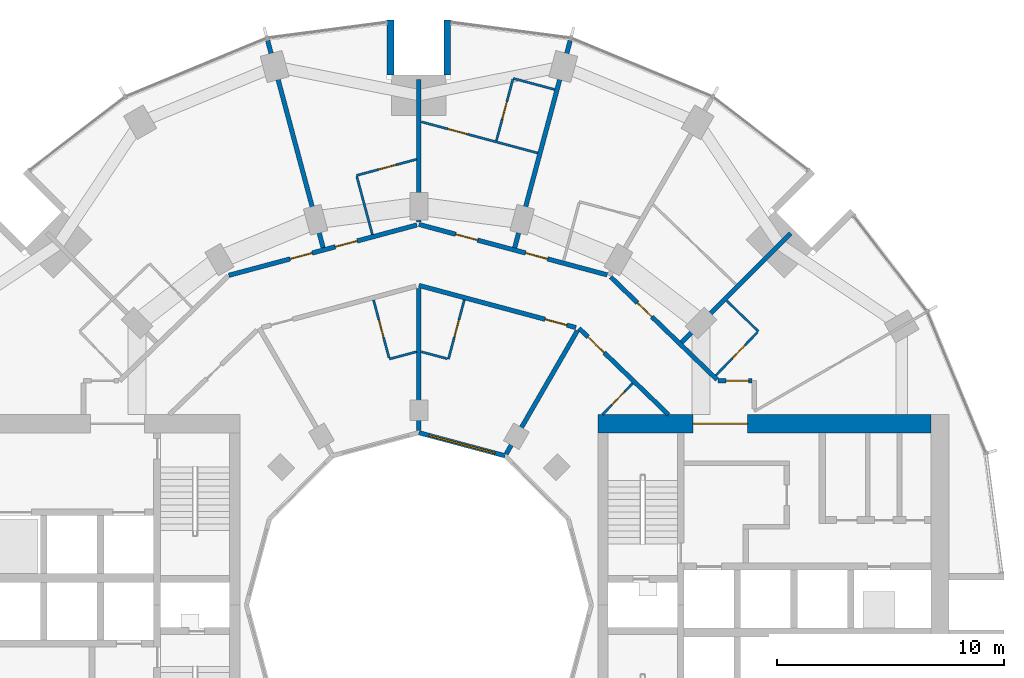
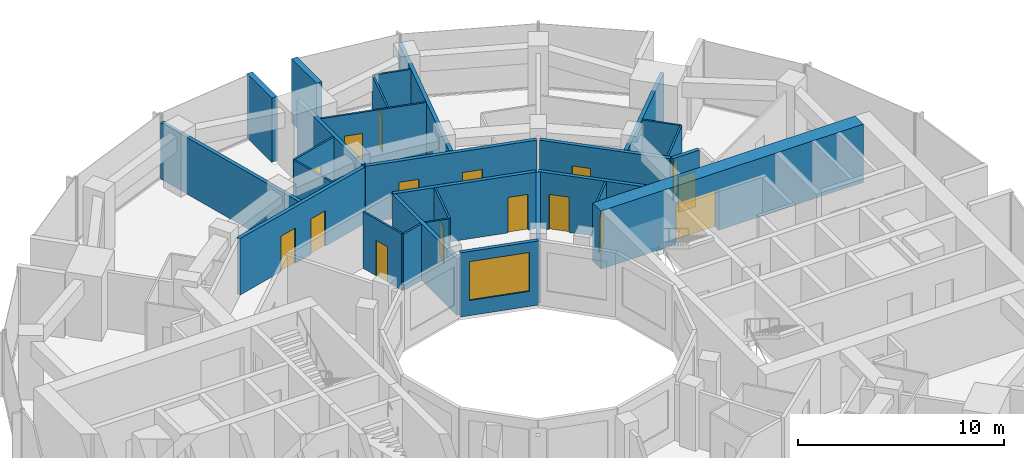
# One storey, part 12 of 15: 28 walls, 16 doors, 1 window, 17 openings.
"""IFC4 building model written with IfcOpenShell, lengths in metres."""

from ifc_helpers import new_model, si_unit, direction, frame, frame_2d, origin, place, context, subcontext, project, spatial, rectangle, extrude, material, layer, layer_set, type_object, element, fill, save


model = new_model("IFC4")

# Units and contexts
model_context = context("Model", 3, precision=1e-05, world=origin(), true_north=direction((0.0, 1.0)))
body_context = subcontext(model_context, "Body", "Model", "MODEL_VIEW")
ifc_project = project(units=[si_unit("LENGTHUNIT", "METRE"), si_unit("AREAUNIT", "SQUARE_METRE"), si_unit("VOLUMEUNIT", "CUBIC_METRE"), si_unit("PLANEANGLEUNIT", "RADIAN"), si_unit("MASSUNIT", "GRAM", prefix="KILO")], contexts=[model_context])

# Site, building, storey
site_placement = place(None, origin())
site = spatial("IfcSite", under=ifc_project, at=site_placement, CompositionType="ELEMENT")
building_placement = place(site_placement, origin())
building = spatial("IfcBuilding", under=site, at=building_placement, Name="Torre Brocal", CompositionType="ELEMENT")
storey_placement = place(building_placement, frame((0.0, 0.0, 105.199951171875)))
storey = spatial("IfcBuildingStorey", under=building, at=storey_placement, Name="L24", CompositionType="ELEMENT", Elevation=105.199951171875)

# Wall, opening, door
ifc_material_1 = material(Name="Concrete C80", Category="concrete")
ifc_layer_1 = layer(ifc_material_1, 0.800048828125)
ifc_layer_set_1 = layer_set([ifc_layer_1], Name="Concrete C80")
wall_type_1 = type_object("IfcWallType", Name="CORE WALL 800 C80 UNDER 350 SLAB", PredefinedType="SHEAR", material=ifc_layer_set_1)
wall_1_placement = place(storey_placement, frame((87.89990234375, 83.0, 0.0), z_axis=(0.0, 0.0, 1.0), x_axis=(1.0, 0.0, 0.0)))
wall_1 = element("IfcWall", 1, at=wall_1_placement, inside=storey, type_object=wall_type_1, Name="Wall CW800-80-S350", PredefinedType="SHEAR", context=body_context, shape_type="SweptSolid", body=[
    extrude(rectangle(XDim=14.7001953125, YDim=0.800048828125, at=frame_2d((7.35009765625, 0.0))), origin(), (0.0, 0.0, 1.0), 3.449951171875),
])
opening_1_placement = place(wall_1_placement, frame((4.199951171875, 0.0, 0.0)))
opening_1 = element("IfcOpeningElement", 2, at=opening_1_placement, cuts=wall_1, Name="Opening E-D27", PredefinedType="OPENING", context=body_context, shape_type="SweptSolid", body=[
    extrude(rectangle(XDim=2.39990234375, YDim=2.39990234375, at=frame_2d((1.199951171875, 1.199951171875))), frame((0.0, 0.409912109375, 0.0), z_axis=(0.0, -1.0, 0.0), x_axis=(1.0, 0.0, 0.0)), (0.0, 0.0, 1.0), 0.820068359375),
])
ifc_material_2 = material(Name="Steel A653", Category="steel")
door_type_1 = type_object("IfcDoorType", Name="DOUBLE FIRE DOOR FD90 2400X2400", OperationType="DOUBLE_DOOR_SINGLE_SWING", PredefinedType="DOOR", material=ifc_material_2)
door_1_placement = place(opening_1_placement, frame((2.39990234375, 0.0, 0.0), z_axis=(0.0, 0.0, 1.0), x_axis=(-1.0, 0.0, 0.0)))
door_1 = element("IfcDoor", 3, at=door_1_placement, inside=storey, type_object=door_type_1, Name="Door E-D27", OperationType="DOUBLE_DOOR_SINGLE_SWING", OverallHeight=2.39990234375, OverallWidth=2.39990234375, PredefinedType="DOOR", context=body_context, shape_type="SweptSolid", body=[
    extrude(rectangle(XDim=2.39990234375, YDim=2.39990234375, at=frame_2d((1.199951171875, 1.199951171875))), frame((0.0, 0.02490234375, 0.0), z_axis=(0.0, -1.0, 0.0), x_axis=(1.0, 0.0, 0.0)), (0.0, 0.0, 1.0), 0.050048828125),
])
fill(opening_1, door_1)

# Walls
ifc_material_3 = material(Name="Concrete C80", Category="concrete")
ifc_layer_2 = layer(ifc_material_3, 0.300048828125)
ifc_layer_set_2 = layer_set([ifc_layer_2], Name="Concrete C80")
wall_type_2 = type_object("IfcWallType", Name="NOTCH RETURN WALL 300 C80", PredefinedType="NOTDEFINED", material=ifc_layer_set_2)
for number, where, z_axis, x_axis, name in (
    (4, (81.25, 98.39990234375, 0.0), (0.0, 0.0, 1.0), (0.0, 1.0, 0.0), "NOTCH RETURN WALL"),
    (5, (78.75, 98.39990234375, 0.0), (0.0, 0.0, 1.0), (0.0, 1.0, 0.0), "NOTCH RETURN WALL"),
):
    element("IfcWall", number, at=place(storey_placement, frame(where, z_axis=z_axis, x_axis=x_axis)), inside=storey, type_object=wall_type_2, Name=name, PredefinedType="NOTDEFINED", context=body_context, shape_type="SweptSolid", body=[
        extrude(rectangle(XDim=2.415771484375, YDim=0.300048828125, at=frame_2d((1.2080078125, 0.0))), origin(), (0.0, 0.0, 1.0), 3.800048828125),
    ])
ifc_material_4 = material(Name="Gypsum board", Category="Gypsum")
ifc_layer_3 = layer(ifc_material_4, 0.10009765625)
ifc_layer_set_3 = layer_set([ifc_layer_3], Name="Gypsum board")
wall_type_3 = type_object("IfcWallType", Name="PARTITION 100", PredefinedType="PARTITIONING", material=ifc_layer_set_3)
wall_2_placement = place(storey_placement, frame((77.260009765625, 93.90869140625, 0.0), z_axis=(0.0, 0.0, 1.0), x_axis=(0.258935674139, -0.965894568086, 0.0)))
element("IfcWall", 6, at=wall_2_placement, inside=storey, type_object=wall_type_3, Name="BATHROOM WALL", PredefinedType="PARTITIONING", context=body_context, shape_type="SweptSolid", body=[
    extrude(rectangle(XDim=2.6494140625, YDim=0.10009765625, at=frame_2d((1.32470703125, 0.0))), origin(), (0.0, 0.0, 1.0), 3.35009765625),
])

# Wall, opening, door
wall_3_placement = place(storey_placement, frame((77.2470703125, 93.95703125, 0.0), z_axis=(0.0, 0.0, 1.0), x_axis=(0.965899920864, 0.258915706119, 0.0)))
wall_3 = element("IfcWall", 7, at=wall_3_placement, inside=storey, type_object=wall_type_3, Name="BATHROOM WALL", PredefinedType="PARTITIONING", context=body_context, shape_type="SweptSolid", body=[
    extrude(rectangle(XDim=2.740234375, YDim=0.10009765625, at=frame_2d((1.3701171875, 0.0))), origin(), (0.0, 0.0, 1.0), 3.35009765625),
])
opening_2_placement = place(wall_3_placement, frame((1.025146484375, 0.0, 0.0)))
opening_2 = element("IfcOpeningElement", 8, at=opening_2_placement, cuts=wall_3, Name="Opening H07-D12", PredefinedType="OPENING", context=body_context, shape_type="SweptSolid", body=[
    extrude(rectangle(XDim=0.800048828125, YDim=2.10009765625, at=frame_2d((0.39990234375, 1.050048828125))), frame((0.0, 0.06005859375, 0.0), z_axis=(0.0, -1.0, 0.0), x_axis=(1.0, 0.0, 0.0)), (0.0, 0.0, 1.0), 0.1201171875),
])
ifc_material_5 = material(Name="Timber", Category="wood")
door_type_2 = type_object("IfcDoorType", Name="BATHROOM DOOR 800X2100", OperationType="SINGLE_SWING_LEFT", PredefinedType="DOOR", material=ifc_material_5)
door_2_placement = place(opening_2_placement, frame((0.800048828125, 0.0, 0.0), z_axis=(0.0, 0.0, 1.0), x_axis=(-1.0, 0.0, 0.0)))
door_2 = element("IfcDoor", 9, at=door_2_placement, inside=storey, type_object=door_type_2, Name="H07-D12", OperationType="SINGLE_SWING_LEFT", OverallHeight=2.10009765625, OverallWidth=0.800048828125, PredefinedType="DOOR", context=body_context, shape_type="SweptSolid", body=[
    extrude(rectangle(XDim=0.800048828125, YDim=2.10009765625, at=frame_2d((0.39990234375, 1.050048828125))), frame((0.0, 0.02490234375, 0.0), z_axis=(0.0, -1.0, 0.0), x_axis=(1.0, 0.0, 0.0)), (0.0, 0.0, 1.0), 0.050048828125),
])
fill(opening_2, door_2)

wall_4_placement = place(storey_placement, frame((77.997802734375, 88.46337890625, 0.0), z_axis=(0.0, 0.0, 1.0), x_axis=(0.258677737588, -0.965963678446, 0.0)))
wall_4 = element("IfcWall", 10, at=wall_4_placement, inside=storey, type_object=wall_type_3, Name="BATHROOM WALL", PredefinedType="PARTITIONING", context=body_context, shape_type="SweptSolid", body=[
    extrude(rectangle(XDim=2.649169921875, YDim=0.10009765625, at=frame_2d((1.32470703125, 0.0))), origin(), (0.0, 0.0, 1.0), 3.35009765625),
])
opening_3_placement = place(wall_4_placement, frame((0.899658203125, 0.0, 0.0)))
opening_3 = element("IfcOpeningElement", 11, at=opening_3_placement, cuts=wall_4, Name="Opening H07-D22", PredefinedType="OPENING", context=body_context, shape_type="SweptSolid", body=[
    extrude(rectangle(XDim=0.800048828125, YDim=2.10009765625, at=frame_2d((0.39990234375, 1.050048828125))), frame((0.0, 0.06005859375, 0.0), z_axis=(0.0, -1.0, 0.0), x_axis=(1.0, 0.0, 0.0)), (0.0, 0.0, 1.0), 0.1201171875),
])
door_3_placement = place(opening_3_placement, origin())
door_3 = element("IfcDoor", 12, at=door_3_placement, inside=storey, type_object=door_type_2, Name="H07-D22", OperationType="SINGLE_SWING_LEFT", OverallHeight=2.10009765625, OverallWidth=0.800048828125, PredefinedType="DOOR", context=body_context, shape_type="SweptSolid", body=[
    extrude(rectangle(XDim=0.800048828125, YDim=2.10009765625, at=frame_2d((0.39990234375, 1.050048828125))), frame((0.0, 0.02490234375, 0.0), z_axis=(0.0, -1.0, 0.0), x_axis=(1.0, 0.0, 0.0)), (0.0, 0.0, 1.0), 0.050048828125),
])
fill(opening_3, door_3)

# Walls
wall_5_placement = place(storey_placement, frame((78.696044921875, 85.85595703125, 0.0), z_axis=(0.0, 0.0, 1.0), x_axis=(0.966002513606, 0.258532674351, 0.0)))
element("IfcWall", 13, at=wall_5_placement, inside=storey, type_object=wall_type_3, Name="BATHROOM WALL", PredefinedType="PARTITIONING", context=body_context, shape_type="SweptSolid", body=[
    extrude(rectangle(XDim=1.239990234375, YDim=0.10009765625, at=frame_2d((0.6201171875, 0.0))), origin(), (0.0, 0.0, 1.0), 3.35009765625),
])
wall_6_placement = place(storey_placement, frame((80.106201171875, 86.176513671875, 0.0), z_axis=(0.0, 0.0, 1.0), x_axis=(0.966002973184, -0.258530957139, 0.0)))
element("IfcWall", 14, at=wall_6_placement, inside=storey, type_object=wall_type_3, Name="BATHROOM WALL", PredefinedType="PARTITIONING", context=body_context, shape_type="SweptSolid", body=[
    extrude(rectangle(XDim=1.18994140625, YDim=0.10009765625, at=frame_2d((0.594970703125, 0.0))), origin(), (0.0, 0.0, 1.0), 3.35009765625),
])

# Wall, opening, door
wall_7_placement = place(storey_placement, frame((80.106201171875, 96.322998046875, 0.0), z_axis=(0.0, 0.0, 1.0), x_axis=(0.965885715826, -0.258968693017, 0.0)))
wall_7 = element("IfcWall", 15, at=wall_7_placement, inside=storey, type_object=wall_type_3, Name="BATHROOM WALL", PredefinedType="PARTITIONING", context=body_context, shape_type="SweptSolid", body=[
    extrude(rectangle(XDim=5.316162109375, YDim=0.10009765625, at=frame_2d((2.658203125, 0.0))), origin(), (0.0, 0.0, 1.0), 3.35009765625),
])
opening_4_placement = place(wall_7_placement, frame((1.212890625, 0.0, 0.0)))
opening_4 = element("IfcOpeningElement", 16, at=opening_4_placement, cuts=wall_7, Name="Opening H07-D09", PredefinedType="OPENING", context=body_context, shape_type="SweptSolid", body=[
    extrude(rectangle(XDim=0.89990234375, YDim=2.10009765625, at=frame_2d((0.449951171875, 1.050048828125))), frame((0.0, 0.06005859375, 0.0), z_axis=(0.0, -1.0, 0.0), x_axis=(1.0, 0.0, 0.0)), (0.0, 0.0, 1.0), 0.1201171875),
])
ifc_material_6 = material(Name="Timber", Category="wood")
door_type_3 = type_object("IfcDoorType", Name="ROOM DOOR 900X2100", OperationType="SINGLE_SWING_LEFT", PredefinedType="DOOR", material=ifc_material_6)
door_4_placement = place(opening_4_placement, origin())
door_4 = element("IfcDoor", 17, at=door_4_placement, inside=storey, type_object=door_type_3, Name="H07-D09", OperationType="SINGLE_SWING_RIGHT", OverallHeight=2.10009765625, OverallWidth=0.89990234375, PredefinedType="DOOR", context=body_context, shape_type="SweptSolid", body=[
    extrude(rectangle(XDim=0.89990234375, YDim=2.10009765625, at=frame_2d((0.449951171875, 1.050048828125))), frame((0.0, 0.02490234375, 0.0), z_axis=(0.0, -1.0, 0.0), x_axis=(1.0, 0.0, 0.0)), (0.0, 0.0, 1.0), 0.050048828125),
])
fill(opening_4, door_4)

wall_8_placement = place(storey_placement, frame((81.303955078125, 85.85595703125, 0.0), z_axis=(0.0, 0.0, 1.0), x_axis=(0.25867580527, 0.965964195904, 0.0)))
wall_8 = element("IfcWall", 18, at=wall_8_placement, inside=storey, type_object=wall_type_3, Name="BATHROOM WALL", PredefinedType="PARTITIONING", context=body_context, shape_type="SweptSolid", body=[
    extrude(rectangle(XDim=2.69921875, YDim=0.10009765625, at=frame_2d((1.349609375, 0.0))), origin(), (0.0, 0.0, 1.0), 3.35009765625),
])
opening_5_placement = place(wall_8_placement, frame((0.99951171875, 0.0, 0.0)))
opening_5 = element("IfcOpeningElement", 19, at=opening_5_placement, cuts=wall_8, Name="Opening H07-D20", PredefinedType="OPENING", context=body_context, shape_type="SweptSolid", body=[
    extrude(rectangle(XDim=0.800048828125, YDim=2.10009765625, at=frame_2d((0.39990234375, 1.050048828125))), frame((0.0, 0.06005859375, 0.0), z_axis=(0.0, -1.0, 0.0), x_axis=(1.0, 0.0, 0.0)), (0.0, 0.0, 1.0), 0.1201171875),
])
door_5_placement = place(opening_5_placement, origin())
door_5 = element("IfcDoor", 20, at=door_5_placement, inside=storey, type_object=door_type_2, Name="H07-D20", OperationType="SINGLE_SWING_RIGHT", OverallHeight=2.10009765625, OverallWidth=0.800048828125, PredefinedType="DOOR", context=body_context, shape_type="SweptSolid", body=[
    extrude(rectangle(XDim=0.800048828125, YDim=2.10009765625, at=frame_2d((0.39990234375, 1.050048828125))), frame((0.0, 0.02490234375, 0.0), z_axis=(0.0, -1.0, 0.0), x_axis=(1.0, 0.0, 0.0)), (0.0, 0.0, 1.0), 0.050048828125),
])
fill(opening_5, door_5)

wall_9_placement = place(storey_placement, frame((83.4189453125, 95.4873046875, 0.0), z_axis=(0.0, 0.0, 1.0), x_axis=(0.258975798317, 0.965883810759, 0.0)))
wall_9 = element("IfcWall", 21, at=wall_9_placement, inside=storey, type_object=wall_type_3, Name="BATHROOM WALL", PredefinedType="PARTITIONING", context=body_context, shape_type="SweptSolid", body=[
    extrude(rectangle(XDim=2.7998046875, YDim=0.10009765625, at=frame_2d((1.39990234375, 0.0))), origin(), (0.0, 0.0, 1.0), 3.35009765625),
])
opening_6_placement = place(wall_9_placement, frame((1.0, 0.0, 0.0)))
opening_6 = element("IfcOpeningElement", 22, at=opening_6_placement, cuts=wall_9, Name="Opening H07-D10", PredefinedType="OPENING", context=body_context, shape_type="SweptSolid", body=[
    extrude(rectangle(XDim=0.800048828125, YDim=2.10009765625, at=frame_2d((0.39990234375, 1.050048828125))), frame((0.0, 0.06005859375, 0.0), z_axis=(0.0, -1.0, 0.0), x_axis=(1.0, 0.0, 0.0)), (0.0, 0.0, 1.0), 0.1201171875),
])
door_6_placement = place(opening_6_placement, frame((0.800048828125, 0.0, 0.0), z_axis=(0.0, 0.0, 1.0), x_axis=(-1.0, 0.0, 0.0)))
door_6 = element("IfcDoor", 23, at=door_6_placement, inside=storey, type_object=door_type_2, Name="H07-D10", OperationType="SINGLE_SWING_LEFT", OverallHeight=2.10009765625, OverallWidth=0.800048828125, PredefinedType="DOOR", context=body_context, shape_type="SweptSolid", body=[
    extrude(rectangle(XDim=0.800048828125, YDim=2.10009765625, at=frame_2d((0.39990234375, 1.050048828125))), frame((0.0, 0.02490234375, 0.0), z_axis=(0.0, -1.0, 0.0), x_axis=(1.0, 0.0, 0.0)), (0.0, 0.0, 1.0), 0.050048828125),
])
fill(opening_6, door_6)

# Wall
wall_10_placement = place(storey_placement, frame((84.156982421875, 98.239990234375, 0.0), z_axis=(0.0, 0.0, 1.0), x_axis=(0.96584126793, -0.259134415244, 0.0)))
element("IfcWall", 24, at=wall_10_placement, inside=storey, type_object=wall_type_3, Name="BATHROOM WALL", PredefinedType="PARTITIONING", context=body_context, shape_type="SweptSolid", body=[
    extrude(rectangle(XDim=1.8994140625, YDim=0.10009765625, at=frame_2d((0.94970703125, 0.0))), origin(), (0.0, 0.0, 1.0), 3.35009765625),
])

# Wall, opening, door
wall_11_placement = place(storey_placement, frame((88.094970703125, 83.39990234375, 0.0), z_axis=(0.0, 0.0, 1.0), x_axis=(0.694447472534, 0.719543402368, 0.0)))
wall_11 = element("IfcWall", 25, at=wall_11_placement, inside=storey, type_object=wall_type_3, Name="BATHROOM WALL", PredefinedType="PARTITIONING", context=body_context, shape_type="SweptSolid", body=[
    extrude(rectangle(XDim=1.92626953125, YDim=0.10009765625, at=frame_2d((0.963134765625, 0.0))), origin(), (0.0, 0.0, 1.0), 3.35009765625),
])
opening_7_placement = place(wall_11_placement, frame((0.613037109375, 0.0, 0.0)))
opening_7 = element("IfcOpeningElement", 26, at=opening_7_placement, cuts=wall_11, Name="Opening H07-D18", PredefinedType="OPENING", context=body_context, shape_type="SweptSolid", body=[
    extrude(rectangle(XDim=0.800048828125, YDim=2.10009765625, at=frame_2d((0.39990234375, 1.050048828125))), frame((0.0, 0.06005859375, 0.0), z_axis=(0.0, -1.0, 0.0), x_axis=(1.0, 0.0, 0.0)), (0.0, 0.0, 1.0), 0.1201171875),
])
door_7_placement = place(opening_7_placement, frame((0.800048828125, 0.0, 0.0), z_axis=(0.0, 0.0, 1.0), x_axis=(-1.0, 0.0, 0.0)))
door_7 = element("IfcDoor", 27, at=door_7_placement, inside=storey, type_object=door_type_2, Name="H07-D18", OperationType="SINGLE_SWING_LEFT", OverallHeight=2.10009765625, OverallWidth=0.800048828125, PredefinedType="DOOR", context=body_context, shape_type="SweptSolid", body=[
    extrude(rectangle(XDim=0.800048828125, YDim=2.10009765625, at=frame_2d((0.39990234375, 1.050048828125))), frame((0.0, 0.02490234375, 0.0), z_axis=(0.0, -1.0, 0.0), x_axis=(1.0, 0.0, 0.0)), (0.0, 0.0, 1.0), 0.050048828125),
])
fill(opening_7, door_7)

wall_12_placement = place(storey_placement, frame((93.1025390625, 85.135986328125, 0.0), z_axis=(0.0, 0.0, 1.0), x_axis=(0.694324808789, 0.719661767708, 0.0)))
wall_12 = element("IfcWall", 28, at=wall_12_placement, inside=storey, type_object=wall_type_3, Name="BATHROOM WALL", PredefinedType="PARTITIONING", context=body_context, shape_type="SweptSolid", body=[
    extrude(rectangle(XDim=2.64990234375, YDim=0.10009765625, at=frame_2d((1.324951171875, 0.0))), origin(), (0.0, 0.0, 1.0), 3.35009765625),
])
opening_8_placement = place(wall_12_placement, frame((1.0498046875, 0.0, 0.0)))
opening_8 = element("IfcOpeningElement", 29, at=opening_8_placement, cuts=wall_12, Name="Opening H07-D02", PredefinedType="OPENING", context=body_context, shape_type="SweptSolid", body=[
    extrude(rectangle(XDim=0.800048828125, YDim=2.10009765625, at=frame_2d((0.39990234375, 1.050048828125))), frame((0.0, 0.06005859375, 0.0), z_axis=(0.0, -1.0, 0.0), x_axis=(1.0, 0.0, 0.0)), (0.0, 0.0, 1.0), 0.1201171875),
])
door_8_placement = place(opening_8_placement, origin())
door_8 = element("IfcDoor", 30, at=door_8_placement, inside=storey, type_object=door_type_2, Name="H07-D02", OperationType="SINGLE_SWING_RIGHT", OverallHeight=2.10009765625, OverallWidth=0.800048828125, PredefinedType="DOOR", context=body_context, shape_type="SweptSolid", body=[
    extrude(rectangle(XDim=0.800048828125, YDim=2.10009765625, at=frame_2d((0.39990234375, 1.050048828125))), frame((0.0, 0.02490234375, 0.0), z_axis=(0.0, -1.0, 0.0), x_axis=(1.0, 0.0, 0.0)), (0.0, 0.0, 1.0), 0.050048828125),
])
fill(opening_8, door_8)

# Wall
wall_13_placement = place(storey_placement, frame((93.581298828125, 88.425537109375, 0.0), z_axis=(0.0, 0.0, 1.0), x_axis=(0.719707242969, -0.694277670977, 0.0)))
element("IfcWall", 31, at=wall_13_placement, inside=storey, type_object=wall_type_3, Name="BATHROOM WALL", PredefinedType="PARTITIONING", context=body_context, shape_type="SweptSolid", body=[
    extrude(rectangle(XDim=1.939453125, YDim=0.10009765625, at=frame_2d((0.9697265625, 0.0))), origin(), (0.0, 0.0, 1.0), 3.35009765625),
])

# Wall, openings, doors
ifc_material_7 = material(Name="Gypsum board", Category="Gypsum")
ifc_layer_4 = layer(ifc_material_7, 0.199951171875)
ifc_layer_set_4 = layer_set([ifc_layer_4], Name="Gypsum board")
wall_type_4 = type_object("IfcWallType", Name="PARTITION 200 EI60", PredefinedType="PARTITIONING", material=ifc_layer_set_4)
wall_14_placement = place(storey_placement, frame((71.61376953125, 89.549560546875, 0.0), z_axis=(0.0, 0.0, 1.0), x_axis=(0.96597505802, 0.258635239832, 0.0)))
wall_14 = element("IfcWall", 32, at=wall_14_placement, inside=storey, type_object=wall_type_4, Name="GUESTROOM CORRIDOR WALL", PredefinedType="PARTITIONING", context=body_context, shape_type="SweptSolid", body=[
    extrude(rectangle(XDim=8.591796875, YDim=0.199951171875, at=frame_2d((4.2958984375, 0.0))), origin(), (0.0, 0.0, 1.0), 3.35009765625),
])
opening_9_placement = place(wall_14_placement, frame((4.864990234375, 0.0, 0.0)))
opening_9 = element("IfcOpeningElement", 33, at=opening_9_placement, cuts=wall_14, Name="Opening H07-D11", PredefinedType="OPENING", context=body_context, shape_type="SweptSolid", body=[
    extrude(rectangle(XDim=1.0, YDim=2.10009765625, at=frame_2d((0.5, 1.050048828125))), frame((0.0, 0.10986328125, 0.0), z_axis=(0.0, -1.0, 0.0), x_axis=(1.0, 0.0, 0.0)), (0.0, 0.0, 1.0), 0.219970703125),
])
opening_10_placement = place(wall_14_placement, frame((2.804443359375, 0.0, 0.0)))
opening_10 = element("IfcOpeningElement", 34, at=opening_10_placement, cuts=wall_14, Name="Opening H07-D13", PredefinedType="OPENING", context=body_context, shape_type="SweptSolid", body=[
    extrude(rectangle(XDim=1.0, YDim=2.10009765625, at=frame_2d((0.5, 1.050048828125))), frame((0.0, 0.10986328125, 0.0), z_axis=(0.0, -1.0, 0.0), x_axis=(1.0, 0.0, 0.0)), (0.0, 0.0, 1.0), 0.219970703125),
])
ifc_material_8 = material(Name="Timber", Category="wood")
door_type_4 = type_object("IfcDoorType", Name="FLAT ENTRY DOOR FD30S 1000X2100", OperationType="SINGLE_SWING_RIGHT", PredefinedType="DOOR", material=ifc_material_8)
door_9_placement = place(opening_9_placement, origin())
door_9 = element("IfcDoor", 35, at=door_9_placement, inside=storey, type_object=door_type_4, Name="H07-D11", OperationType="SINGLE_SWING_LEFT", OverallHeight=2.10009765625, OverallWidth=1.0, PredefinedType="DOOR", context=body_context, shape_type="SweptSolid", body=[
    extrude(rectangle(XDim=1.0, YDim=2.10009765625, at=frame_2d((0.5, 1.050048828125))), frame((0.0, 0.02490234375, 0.0), z_axis=(0.0, -1.0, 0.0), x_axis=(1.0, 0.0, 0.0)), (0.0, 0.0, 1.0), 0.050048828125),
])
fill(opening_9, door_9)
door_10_placement = place(opening_10_placement, origin())
door_10 = element("IfcDoor", 36, at=door_10_placement, inside=storey, type_object=door_type_4, Name="H07-D13", OperationType="SINGLE_SWING_RIGHT", OverallHeight=2.10009765625, OverallWidth=1.0, PredefinedType="DOOR", context=body_context, shape_type="SweptSolid", body=[
    extrude(rectangle(XDim=1.0, YDim=2.10009765625, at=frame_2d((0.5, 1.050048828125))), frame((0.0, 0.02490234375, 0.0), z_axis=(0.0, -1.0, 0.0), x_axis=(1.0, 0.0, 0.0)), (0.0, 0.0, 1.0), 0.050048828125),
])
fill(opening_10, door_10)

# Walls
wall_15_placement = place(storey_placement, frame((73.322998046875, 99.919189453125, 0.0), z_axis=(0.0, 0.0, 1.0), x_axis=(0.258818956582, -0.965925850008, 0.0)))
element("IfcWall", 37, at=wall_15_placement, inside=storey, type_object=wall_type_4, Name="PARTY PARTITION", PredefinedType="PARTITIONING", context=body_context, shape_type="SweptSolid", body=[
    extrude(rectangle(XDim=9.473388671875, YDim=0.199951171875, at=frame_2d((4.73681640625, 0.0))), origin(), (0.0, 0.0, 1.0), 3.35009765625),
])
wall_16_placement = place(storey_placement, frame((80.0, 82.698974609375, 0.0), z_axis=(0.0, 0.0, 1.0), x_axis=(0.0, 1.0, 0.0)))
element("IfcWall", 38, at=wall_16_placement, inside=storey, type_object=wall_type_4, Name="BATHROOM WALL", PredefinedType="PARTITIONING", context=body_context, shape_type="SweptSolid", body=[
    extrude(rectangle(XDim=6.275146484375, YDim=0.199951171875, at=frame_2d((3.1376953125, 0.0))), origin(), (0.0, 0.0, 1.0), 3.35009765625),
])

# Wall, opening, door
wall_17_placement = place(storey_placement, frame((80.0, 89.10400390625, 0.0), z_axis=(0.0, 0.0, 1.0), x_axis=(0.965856548257, -0.259077455964, 0.0)))
wall_17 = element("IfcWall", 39, at=wall_17_placement, inside=storey, type_object=wall_type_4, Name="GUESTROOM CORRIDOR WALL", PredefinedType="PARTITIONING", context=body_context, shape_type="SweptSolid", body=[
    extrude(rectangle(XDim=7.173095703125, YDim=0.199951171875, at=frame_2d((3.58642578125, 0.0))), origin(), (0.0, 0.0, 1.0), 3.35009765625),
])
opening_11_placement = place(wall_17_placement, frame((5.76318359375, 0.0, 0.0)))
opening_11 = element("IfcOpeningElement", 40, at=opening_11_placement, cuts=wall_17, Name="Opening H07-D19", PredefinedType="OPENING", context=body_context, shape_type="SweptSolid", body=[
    extrude(rectangle(XDim=1.0, YDim=2.10009765625, at=frame_2d((0.5, 1.050048828125))), frame((0.0, 0.10986328125, 0.0), z_axis=(0.0, -1.0, 0.0), x_axis=(1.0, 0.0, 0.0)), (0.0, 0.0, 1.0), 0.219970703125),
])
door_11_placement = place(opening_11_placement, frame((1.0, 0.0, 0.0), z_axis=(0.0, 0.0, 1.0), x_axis=(-1.0, 0.0, 0.0)))
door_11 = element("IfcDoor", 41, at=door_11_placement, inside=storey, type_object=door_type_4, Name="H07-D19", OperationType="SINGLE_SWING_LEFT", OverallHeight=2.10009765625, OverallWidth=1.0, PredefinedType="DOOR", context=body_context, shape_type="SweptSolid", body=[
    extrude(rectangle(XDim=1.0, YDim=2.10009765625, at=frame_2d((0.5, 1.050048828125))), frame((0.0, 0.02490234375, 0.0), z_axis=(0.0, -1.0, 0.0), x_axis=(1.0, 0.0, 0.0)), (0.0, 0.0, 1.0), 0.050048828125),
])
fill(opening_11, door_11)

# Wall
wall_18_placement = place(storey_placement, frame((80.0, 91.89599609375, 0.0), z_axis=(0.0, 0.0, 1.0), x_axis=(0.0, 1.0, 0.0)))
element("IfcWall", 42, at=wall_18_placement, inside=storey, type_object=wall_type_4, Name="BATHROOM WALL", PredefinedType="PARTITIONING", context=body_context, shape_type="SweptSolid", body=[
    extrude(rectangle(XDim=6.303955078125, YDim=0.199951171875, at=frame_2d((3.15185546875, 0.0))), origin(), (0.0, 0.0, 1.0), 3.35009765625),
])

# Wall, openings, doors
wall_19_placement = place(storey_placement, frame((80.000244140625, 91.796875, 0.0), z_axis=(0.0, 0.0, 1.0), x_axis=(0.965857042792, -0.259075612301, 0.0)))
wall_19 = element("IfcWall", 43, at=wall_19_placement, inside=storey, type_object=wall_type_4, Name="FLAT ENTRANCE WALL", PredefinedType="PARTITIONING", context=body_context, shape_type="SweptSolid", body=[
    extrude(rectangle(XDim=8.601806640625, YDim=0.199951171875, at=frame_2d((4.30078125, 0.0))), origin(), (0.0, 0.0, 1.0), 3.35009765625),
])
opening_12_placement = place(wall_19_placement, frame((4.87744140625, 0.0, 0.0)))
opening_12 = element("IfcOpeningElement", 44, at=opening_12_placement, cuts=wall_19, Name="Opening H07-D06", PredefinedType="OPENING", context=body_context, shape_type="SweptSolid", body=[
    extrude(rectangle(XDim=1.0, YDim=2.10009765625, at=frame_2d((0.5, 1.050048828125))), frame((0.0, 0.10986328125, 0.0), z_axis=(0.0, -1.0, 0.0), x_axis=(1.0, 0.0, 0.0)), (0.0, 0.0, 1.0), 0.219970703125),
])
opening_13_placement = place(wall_19_placement, frame((1.683349609375, 0.0, 0.0)))
opening_13 = element("IfcOpeningElement", 45, at=opening_13_placement, cuts=wall_19, Name="Opening H07-D08", PredefinedType="OPENING", context=body_context, shape_type="SweptSolid", body=[
    extrude(rectangle(XDim=1.0, YDim=2.10009765625, at=frame_2d((0.5, 1.050048828125))), frame((0.0, 0.10986328125, 0.0), z_axis=(0.0, -1.0, 0.0), x_axis=(1.0, 0.0, 0.0)), (0.0, 0.0, 1.0), 0.219970703125),
])
door_12_placement = place(opening_12_placement, origin())
door_12 = element("IfcDoor", 46, at=door_12_placement, inside=storey, type_object=door_type_4, Name="H07-D06", OperationType="SINGLE_SWING_LEFT", OverallHeight=2.10009765625, OverallWidth=1.0, PredefinedType="DOOR", context=body_context, shape_type="SweptSolid", body=[
    extrude(rectangle(XDim=1.0, YDim=2.10009765625, at=frame_2d((0.5, 1.050048828125))), frame((0.0, 0.02490234375, 0.0), z_axis=(0.0, -1.0, 0.0), x_axis=(1.0, 0.0, 0.0)), (0.0, 0.0, 1.0), 0.050048828125),
])
fill(opening_12, door_12)
door_13_placement = place(opening_13_placement, origin())
door_13 = element("IfcDoor", 47, at=door_13_placement, inside=storey, type_object=door_type_4, Name="H07-D08", OperationType="SINGLE_SWING_RIGHT", OverallHeight=2.10009765625, OverallWidth=1.0, PredefinedType="DOOR", context=body_context, shape_type="SweptSolid", body=[
    extrude(rectangle(XDim=1.0, YDim=2.10009765625, at=frame_2d((0.5, 1.050048828125))), frame((0.0, 0.02490234375, 0.0), z_axis=(0.0, -1.0, 0.0), x_axis=(1.0, 0.0, 0.0)), (0.0, 0.0, 1.0), 0.050048828125),
])
fill(opening_13, door_13)

# Walls
wall_20_placement = place(storey_placement, frame((83.849853515625, 81.66650390625, 0.0), z_axis=(0.0, 0.0, 1.0), x_axis=(0.500224530691, 0.865895732115, 0.0)))
element("IfcWall", 48, at=wall_20_placement, inside=storey, type_object=wall_type_4, Name="PARTY PARTITION", PredefinedType="PARTITIONING", context=body_context, shape_type="SweptSolid", body=[
    extrude(rectangle(XDim=6.28515625, YDim=0.199951171875, at=frame_2d((3.142578125, 0.0))), origin(), (0.0, 0.0, 1.0), 3.35009765625),
])
wall_21_placement = place(storey_placement, frame((84.225341796875, 90.767578125, 0.0), z_axis=(0.0, 0.0, 1.0), x_axis=(0.258895798654, 0.965905256968, 0.0)))
element("IfcWall", 49, at=wall_21_placement, inside=storey, type_object=wall_type_4, Name="BATHROOM WALL", PredefinedType="PARTITIONING", context=body_context, shape_type="SweptSolid", body=[
    extrude(rectangle(XDim=9.474365234375, YDim=0.199951171875, at=frame_2d((4.7373046875, 0.0))), origin(), (0.0, 0.0, 1.0), 3.35009765625),
])

# Wall, opening, door
wall_22_placement = place(storey_placement, frame((87.06396484375, 87.2109375, 0.0), z_axis=(0.0, 0.0, 1.0), x_axis=(0.719540958932, -0.694450004262, 0.0)))
wall_22 = element("IfcWall", 50, at=wall_22_placement, inside=storey, type_object=wall_type_4, Name="GUESTROOM CORRIDOR WALL", PredefinedType="PARTITIONING", context=body_context, shape_type="SweptSolid", body=[
    extrude(rectangle(XDim=5.48779296875, YDim=0.199951171875, at=frame_2d((2.743896484375, 0.0))), origin(), (0.0, 0.0, 1.0), 3.35009765625),
])
opening_14_placement = place(wall_22_placement, frame((0.550048828125, 0.0, 0.0)))
opening_14 = element("IfcOpeningElement", 51, at=opening_14_placement, cuts=wall_22, Name="Opening H07-D17", PredefinedType="OPENING", context=body_context, shape_type="SweptSolid", body=[
    extrude(rectangle(XDim=1.0, YDim=2.10009765625, at=frame_2d((0.5, 1.050048828125))), frame((0.0, 0.10986328125, 0.0), z_axis=(0.0, -1.0, 0.0), x_axis=(1.0, 0.0, 0.0)), (0.0, 0.0, 1.0), 0.219970703125),
])
door_14_placement = place(opening_14_placement, frame((1.0, 0.0, 0.0), z_axis=(0.0, 0.0, 1.0), x_axis=(-1.0, 0.0, 0.0)))
door_14 = element("IfcDoor", 52, at=door_14_placement, inside=storey, type_object=door_type_4, Name="H07-D17", OperationType="SINGLE_SWING_RIGHT", OverallHeight=2.10009765625, OverallWidth=1.0, PredefinedType="DOOR", context=body_context, shape_type="SweptSolid", body=[
    extrude(rectangle(XDim=1.0, YDim=2.10009765625, at=frame_2d((0.5, 1.050048828125))), frame((0.0, 0.02490234375, 0.0), z_axis=(0.0, -1.0, 0.0), x_axis=(1.0, 0.0, 0.0)), (0.0, 0.0, 1.0), 0.050048828125),
])
fill(opening_14, door_14)

wall_23_placement = place(storey_placement, frame((88.465087890625, 89.47265625, 0.0), z_axis=(0.0, 0.0, 1.0), x_axis=(0.719531044682, -0.694460276574, 0.0)))
wall_23 = element("IfcWall", 53, at=wall_23_placement, inside=storey, type_object=wall_type_4, Name="GUESTROOM CORRIDOR WALL", PredefinedType="PARTITIONING", context=body_context, shape_type="SweptSolid", body=[
    extrude(rectangle(XDim=6.5244140625, YDim=0.199951171875, at=frame_2d((3.26220703125, 0.0))), origin(), (0.0, 0.0, 1.0), 3.35009765625),
])
opening_15_placement = place(wall_23_placement, frame((1.629150390625, 0.0, 0.0)))
opening_15 = element("IfcOpeningElement", 54, at=opening_15_placement, cuts=wall_23, Name="Opening H07-D04", PredefinedType="OPENING", context=body_context, shape_type="SweptSolid", body=[
    extrude(rectangle(XDim=0.89990234375, YDim=2.10009765625, at=frame_2d((0.449951171875, 1.050048828125))), frame((0.0, 0.10986328125, 0.0), z_axis=(0.0, -1.0, 0.0), x_axis=(1.0, 0.0, 0.0)), (0.0, 0.0, 1.0), 0.219970703125),
])
door_15_placement = place(opening_15_placement, origin())
door_15 = element("IfcDoor", 55, at=door_15_placement, inside=storey, type_object=door_type_3, Name="H07-D04", OperationType="SINGLE_SWING_RIGHT", OverallHeight=2.10009765625, OverallWidth=0.89990234375, PredefinedType="DOOR", context=body_context, shape_type="SweptSolid", body=[
    extrude(rectangle(XDim=0.89990234375, YDim=2.10009765625, at=frame_2d((0.449951171875, 1.050048828125))), frame((0.0, 0.02490234375, 0.0), z_axis=(0.0, -1.0, 0.0), x_axis=(1.0, 0.0, 0.0)), (0.0, 0.0, 1.0), 0.050048828125),
])
fill(opening_15, door_15)

# Wall
wall_24_placement = place(storey_placement, frame((91.595458984375, 86.59033203125, 0.0), z_axis=(0.0, 0.0, 1.0), x_axis=(0.707268206752, 0.706945318761, 0.0)))
element("IfcWall", 56, at=wall_24_placement, inside=storey, type_object=wall_type_4, Name="BATHROOM WALL", PredefinedType="PARTITIONING", context=body_context, shape_type="SweptSolid", body=[
    extrude(rectangle(XDim=6.804931640625, YDim=0.199951171875, at=frame_2d((3.40234375, 0.0))), origin(), (0.0, 0.0, 1.0), 3.35009765625),
])

# Wall, opening, door
wall_25_placement = place(storey_placement, frame((93.202880859375, 84.89990234375, 0.0), z_axis=(0.0, 0.0, 1.0), x_axis=(1.0, 0.0, 0.0)))
wall_25 = element("IfcWall", 57, at=wall_25_placement, inside=storey, type_object=wall_type_4, Name="GUESTROOM CORRIDOR WALL", PredefinedType="PARTITIONING", context=body_context, shape_type="SweptSolid", body=[
    extrude(rectangle(XDim=1.4970703125, YDim=0.199951171875, at=frame_2d((0.74853515625, 0.0))), origin(), (0.0, 0.0, 1.0), 3.35009765625),
])
opening_16_placement = place(wall_25_placement, frame((0.346923828125, 0.0, 0.0)))
opening_16 = element("IfcOpeningElement", 58, at=opening_16_placement, cuts=wall_25, Name="Opening H07-D01", PredefinedType="OPENING", context=body_context, shape_type="SweptSolid", body=[
    extrude(rectangle(XDim=1.0, YDim=2.10009765625, at=frame_2d((0.5, 1.050048828125))), frame((0.0, 0.10986328125, 0.0), z_axis=(0.0, -1.0, 0.0), x_axis=(1.0, 0.0, 0.0)), (0.0, 0.0, 1.0), 0.219970703125),
])
door_16_placement = place(opening_16_placement, origin())
door_16 = element("IfcDoor", 59, at=door_16_placement, inside=storey, type_object=door_type_4, Name="H07-D01", OperationType="SINGLE_SWING_RIGHT", OverallHeight=2.10009765625, OverallWidth=1.0, PredefinedType="DOOR", context=body_context, shape_type="SweptSolid", body=[
    extrude(rectangle(XDim=1.0, YDim=2.10009765625, at=frame_2d((0.5, 1.050048828125))), frame((0.0, 0.02490234375, 0.0), z_axis=(0.0, -1.0, 0.0), x_axis=(1.0, 0.0, 0.0)), (0.0, 0.0, 1.0), 0.050048828125),
])
fill(opening_16, door_16)

# Wall, opening, window
ifc_material_9 = material(Name="Concrete C40", Category="concrete")
ifc_layer_5 = layer(ifc_material_9, 0.199951171875)
ifc_layer_set_5 = layer_set([ifc_layer_5], Name="Concrete C40")
wall_type_5 = type_object("IfcWallType", Name="WELL FACADE WALL 200", PredefinedType="NOTDEFINED", material=ifc_layer_set_5)
wall_26_placement = place(storey_placement, frame((83.8017578125, 81.5849609375, 0.0), z_axis=(0.0, 0.0, 1.0), x_axis=(-0.965933654434, 0.258789828301, 0.0)))
wall_26 = element("IfcWall", 60, at=wall_26_placement, inside=storey, type_object=wall_type_5, Name="WELL FACADE WALL", PredefinedType="NOTDEFINED", context=body_context, shape_type="SweptSolid", body=[
    extrude(rectangle(XDim=3.935791015625, YDim=0.199951171875, at=frame_2d((1.9677734375, 0.0))), origin(), (0.0, 0.0, 1.0), 3.800048828125),
])
opening_17_placement = place(wall_26_placement, frame((0.468017578125, 0.0, 0.89990234375)))
opening_17 = element("IfcOpeningElement", 61, at=opening_17_placement, cuts=wall_26, Name="Opening W1", PredefinedType="OPENING", context=body_context, shape_type="SweptSolid", body=[
    extrude(rectangle(XDim=3.0, YDim=2.300048828125, at=frame_2d((1.5, 1.14990234375))), frame((0.0, 0.10986328125, 0.0), z_axis=(0.0, -1.0, 0.0), x_axis=(1.0, 0.0, 0.0)), (0.0, 0.0, 1.0), 0.219970703125),
])
ifc_material_10 = material(Name="Aluminium and glass", Category="aluminium")
window_type = type_object("IfcWindowType", Name="WELL WINDOW 3000X2300", PartitioningType="SINGLE_PANEL", PredefinedType="WINDOW", material=ifc_material_10)
window_placement = place(opening_17_placement, origin())
window = element("IfcWindow", 62, at=window_placement, inside=storey, type_object=window_type, Name="WELL WINDOW 3000X2300", OverallHeight=2.300048828125, OverallWidth=3.0, PartitioningType="SINGLE_PANEL", PredefinedType="WINDOW", context=body_context, shape_type="SweptSolid", body=[
    extrude(rectangle(XDim=3.0, YDim=2.300048828125, at=frame_2d((1.5, 1.14990234375))), frame((0.0, 0.030029296875, 0.0), z_axis=(0.0, -1.0, 0.0), x_axis=(1.0, 0.0, 0.0)), (0.0, 0.0, 1.0), 0.06005859375),
])
fill(opening_17, window)

save(model, "model.ifc")
